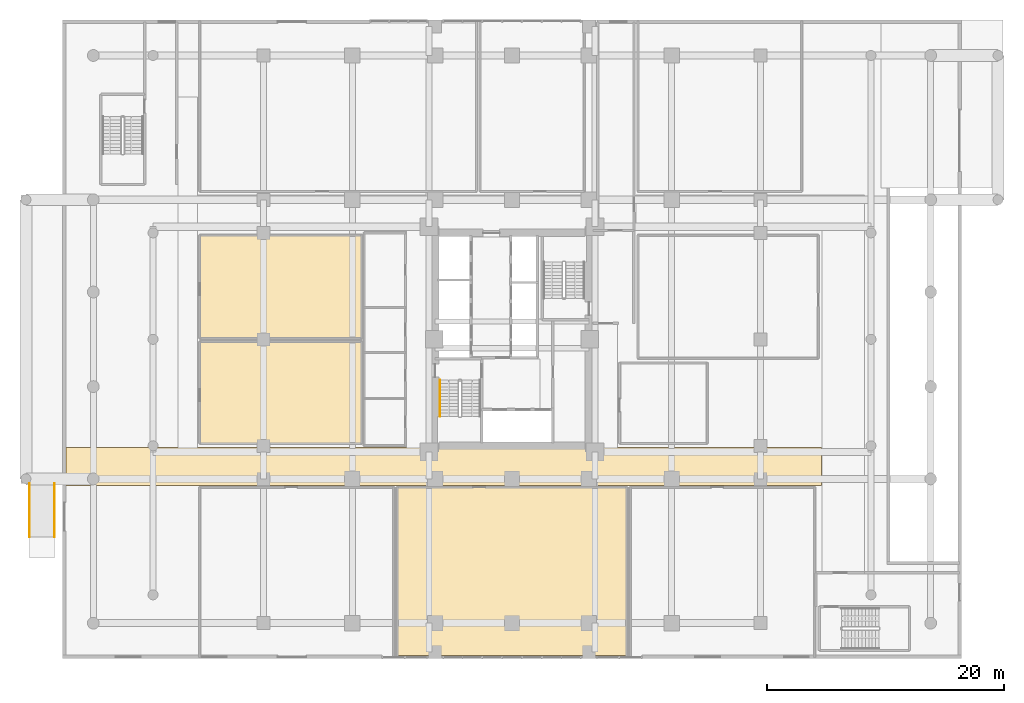
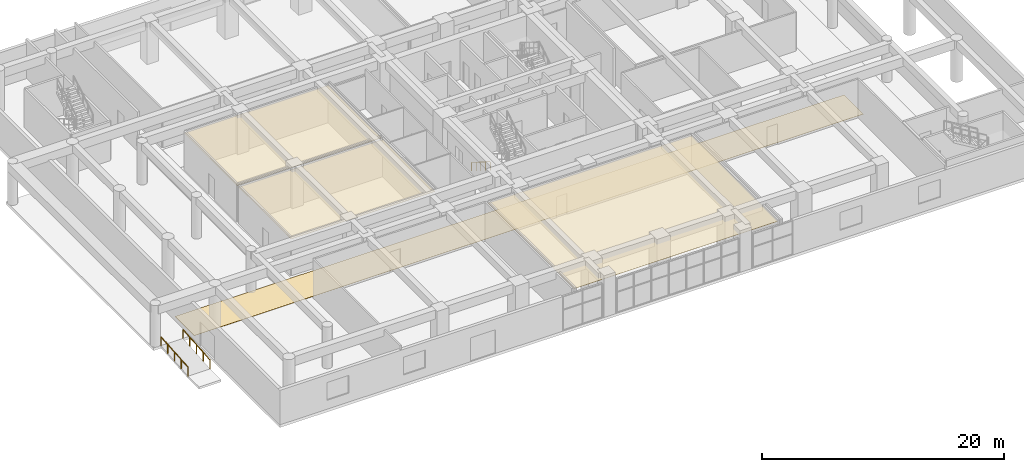
# One storey, part 20 of 24: 4 coverings, 3 railings.
"""IFC4 building model written with IfcOpenShell, lengths in metres."""

from ifc_helpers import new_model, si_unit, direction, frame, origin, origin_2d, place, context, subcontext, project, spatial, polyline, rectangle, outline, extrude, material, layer, layer_set, type_object, element, save


model = new_model("IFC4")

# Units and contexts
model_context = context("Model", 3, precision=1e-05, world=origin(), true_north=direction((0.0, 1.0)))
body_context = subcontext(model_context, "Body", "Model", "MODEL_VIEW")
ifc_project = project(units=[si_unit("LENGTHUNIT", "METRE"), si_unit("AREAUNIT", "SQUARE_METRE"), si_unit("VOLUMEUNIT", "CUBIC_METRE"), si_unit("PLANEANGLEUNIT", "RADIAN"), si_unit("MASSUNIT", "GRAM", prefix="KILO")], contexts=[model_context])

# Site, building, storey
site_placement = place(None, origin())
site = spatial("IfcSite", under=ifc_project, at=site_placement, CompositionType="ELEMENT")
building_placement = place(site_placement, origin())
building = spatial("IfcBuilding", under=site, at=building_placement, Name="Saelheon Loggia Tower", CompositionType="ELEMENT")
storey_placement = place(building_placement, origin())
storey = spatial("IfcBuildingStorey", under=building, at=storey_placement, Name="L00", CompositionType="ELEMENT", Elevation=0.0)

# Coverings
ifc_material_1 = material(Name="Mineral-Fibre Acoustic Ceiling Board", Category="gypsum")
ifc_layer_1 = layer(ifc_material_1, 0.02490234375)
ifc_layer_set_1 = layer_set([ifc_layer_1], Name="Mineral-Fibre Acoustic Ceiling Board")
covering_type_1 = type_object("IfcCoveringType", Name="Cov_Ceiling_Acoustic", PredefinedType="CEILING", material=ifc_layer_set_1)
covering_1_placement = place(storey_placement, frame((0.0, 0.0, 3.6650390625)))
element("IfcCovering", 1, at=covering_1_placement, inside=storey, type_object=covering_type_1, Name="L00 Acoustic Suspended Ceiling", PredefinedType="CEILING", context=body_context, shape_type="SweptSolid", body=[
    extrude(outline(polyline([(28.27001953125, 0.27001953125), (47.72998046875, 0.27001953125), (47.72998046875, 14.530029296875), (28.27001953125, 14.530029296875), (28.27001953125, 0.27001953125)])), origin(), (0.0, 0.0, 1.0), 0.02490234375),
])
covering_2_placement = place(storey_placement, frame((0.0, 0.0, 3.6650390625)))
element("IfcCovering", 2, at=covering_2_placement, inside=storey, type_object=covering_type_1, Name="L00 Acoustic Suspended Ceiling", PredefinedType="CEILING", context=body_context, shape_type="SweptSolid", body=[
    extrude(outline(polyline([(11.570068359375, 18.169921875), (25.330078125, 18.169921875), (25.330078125, 26.830078125), (11.570068359375, 26.830078125), (11.570068359375, 18.169921875)])), origin(), (0.0, 0.0, 1.0), 0.02490234375),
])
covering_3_placement = place(storey_placement, frame((0.0, 0.0, 3.6650390625)))
element("IfcCovering", 3, at=covering_3_placement, inside=storey, type_object=covering_type_1, Name="L00 Acoustic Suspended Ceiling", PredefinedType="CEILING", context=body_context, shape_type="SweptSolid", body=[
    extrude(outline(polyline([(11.570068359375, 27.070068359375), (25.330078125, 27.070068359375), (25.330078125, 35.830078125), (11.570068359375, 35.830078125), (11.570068359375, 27.070068359375)])), origin(), (0.0, 0.0, 1.0), 0.02490234375),
])
ifc_material_2 = material(Name="Vitrified Porcelain Floor Tile", Category="ceramic")
ifc_layer_2 = layer(ifc_material_2, 0.02001953125)
ifc_layer_set_2 = layer_set([ifc_layer_2], Name="Vitrified Porcelain Floor Tile")
covering_type_2 = type_object("IfcCoveringType", Name="Cov_Floor_Porcelain", PredefinedType="FLOORING", material=ifc_layer_set_2)
covering_4_placement = place(storey_placement, origin())
element("IfcCovering", 4, at=covering_4_placement, inside=storey, type_object=covering_type_2, Name="L00 Corridor Porcelain Flooring", PredefinedType="FLOORING", context=body_context, shape_type="SweptSolid", body=[
    extrude(outline(polyline([(0.300048828125, 14.64990234375), (64.179931640625, 14.64990234375), (64.179931640625, 17.85009765625), (0.300048828125, 17.85009765625), (0.300048828125, 14.64990234375)])), origin(), (0.0, 0.0, 1.0), 0.02001953125),
])

# Railings
ifc_material_3 = material(Name="Stainless Steel 304 Tubular Handrail", Category="steel")
railing_type_1 = type_object("IfcRailingType", Name="Handrail_Ramp_920", PredefinedType="HANDRAIL", material=ifc_material_3)
for number, where, name in (
    (5, (-2.800048828125, 10.300048828125, -0.35009765625), "Entrance Ramp West Handrail"),
    (6, (-0.699951171875, 10.300048828125, -0.35009765625), "Entrance Ramp East Handrail"),
):
    element("IfcRailing", number, at=place(storey_placement, frame(where)), inside=storey, type_object=railing_type_1, Name=name, PredefinedType="HANDRAIL", context=body_context, shape_type="SweptSolid", body=[
        extrude(rectangle(XDim=0.048095703125, YDim=0.048095703125, at=origin_2d()), frame((0.0, 0.033203125, 0.8984375), z_axis=(0.0, 0.996987290049, 0.077565091902), x_axis=(-1.0, 0.0, 0.0)), (0.0, 0.0, 1.0), 1.06201171875),
        extrude(rectangle(XDim=0.048095703125, YDim=0.048095703125, at=origin_2d()), frame((0.0, 1.158203125, 0.986083984375), z_axis=(0.0, 0.996987290049, 0.077565091902), x_axis=(-1.0, 0.0, 0.0)), (0.0, 0.0, 1.0), 1.06201171875),
        extrude(rectangle(XDim=0.048095703125, YDim=0.048095703125, at=origin_2d()), frame((0.0, 2.283203125, 1.073486328125), z_axis=(0.0, 0.996987290049, 0.077565091902), x_axis=(-1.0, 0.0, 0.0)), (0.0, 0.0, 1.0), 1.06201171875),
        extrude(rectangle(XDim=0.048095703125, YDim=0.048095703125, at=origin_2d()), frame((0.0, 3.408203125, 1.1611328125), z_axis=(0.0, 0.996987290049, 0.077565091902), x_axis=(-1.0, 0.0, 0.0)), (0.0, 0.0, 1.0), 1.06201171875),
        extrude(rectangle(XDim=0.0419921875, YDim=0.0419921875, at=origin_2d()), origin(), (0.0, 0.0, 1.0), 0.867919921875),
        extrude(rectangle(XDim=0.0419921875, YDim=0.0419921875, at=origin_2d()), frame((0.0, 1.125, 0.08740234375)), (0.0, 0.0, 1.0), 0.867919921875),
        extrude(rectangle(XDim=0.0419921875, YDim=0.0419921875, at=origin_2d()), frame((0.0, 2.25, 0.175048828125)), (0.0, 0.0, 1.0), 0.867919921875),
        extrude(rectangle(XDim=0.0419921875, YDim=0.0419921875, at=origin_2d()), frame((0.0, 3.375, 0.2626953125)), (0.0, 0.0, 1.0), 0.867919921875),
        extrude(rectangle(XDim=0.0419921875, YDim=0.0419921875, at=origin_2d()), frame((0.0, 4.5, 0.35009765625)), (0.0, 0.0, 1.0), 0.867919921875),
    ])
railing_type_2 = type_object("IfcRailingType", Name="Handrail_Stair_RL_HR1", PredefinedType="HANDRAIL", material=ifc_material_3)
railing_placement = place(storey_placement, frame((31.89990234375, 23.550048828125, 0.175048828125)))
element("IfcRailing", 7, at=railing_placement, inside=storey, type_object=railing_type_2, Name="L00 ST1 stair handrail 1", PredefinedType="HANDRAIL", context=body_context, shape_type="SweptSolid", body=[
    extrude(rectangle(XDim=0.048095703125, YDim=0.048095703125, at=origin_2d()), frame((0.0, -0.028076171875, 0.8935546875), z_axis=(0.0, -0.847998304005, 0.529998940003), x_axis=(1.0, 0.0, 0.0)), (0.0, 0.0, 1.0), 0.841552734375),
    extrude(rectangle(XDim=0.048095703125, YDim=0.048095703125, at=origin_2d()), frame((0.0, -0.798095703125, 1.374755859375), z_axis=(0.0, -0.847998304005, 0.529998940003), x_axis=(1.0, 0.0, 0.0)), (0.0, 0.0, 1.0), 0.841552734375),
    extrude(rectangle(XDim=0.048095703125, YDim=0.048095703125, at=origin_2d()), frame((0.0, -1.568115234375, 1.85595703125), z_axis=(0.0, -0.847998304005, 0.529998940003), x_axis=(1.0, 0.0, 0.0)), (0.0, 0.0, 1.0), 0.841552734375),
    extrude(rectangle(XDim=0.048095703125, YDim=0.048095703125, at=origin_2d()), frame((0.0, -2.338134765625, 2.337158203125), z_axis=(0.0, -0.847998304005, 0.529998940003), x_axis=(1.0, 0.0, 0.0)), (0.0, 0.0, 1.0), 0.841552734375),
    extrude(rectangle(XDim=0.0419921875, YDim=0.0419921875, at=origin_2d()), origin(), (0.0, 0.0, 1.0), 0.847900390625),
    extrude(rectangle(XDim=0.0419921875, YDim=0.0419921875, at=origin_2d()), frame((0.0, -0.77001953125, 0.481201171875)), (0.0, 0.0, 1.0), 0.847900390625),
    extrude(rectangle(XDim=0.0419921875, YDim=0.0419921875, at=origin_2d()), frame((0.0, -1.5400390625, 0.96240234375)), (0.0, 0.0, 1.0), 0.847900390625),
    extrude(rectangle(XDim=0.0419921875, YDim=0.0419921875, at=origin_2d()), frame((0.0, -2.31005859375, 1.44384765625)), (0.0, 0.0, 1.0), 0.847900390625),
    extrude(rectangle(XDim=0.0419921875, YDim=0.0419921875, at=origin_2d()), frame((0.0, -3.080078125, 1.925048828125)), (0.0, 0.0, 1.0), 0.847900390625),
])

save(model, "model.ifc")
